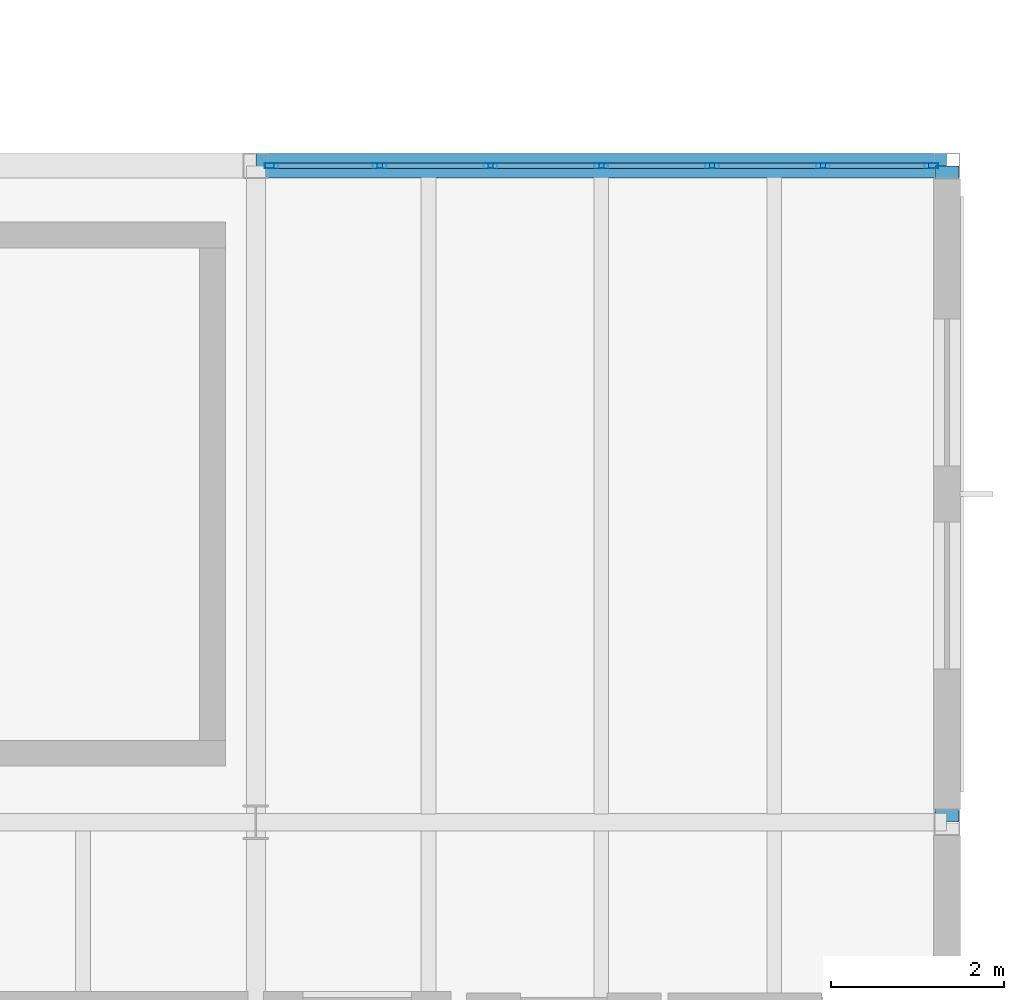
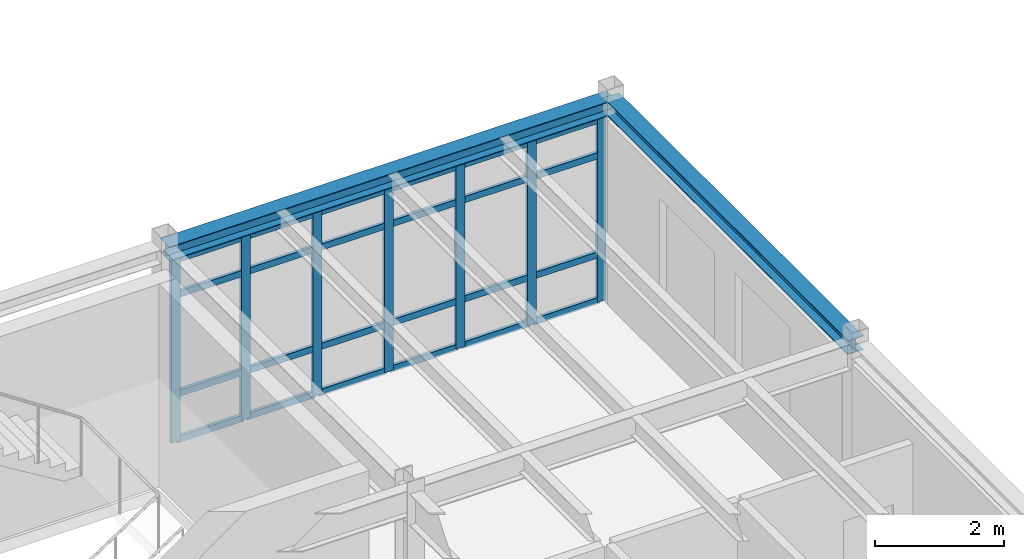
# One storey, part 113 of 165: 31 members, 2 beams, 1 element without a shape of its own.
"""IFC4 building model written with IfcOpenShell, lengths in metres."""

import ifcopenshell
import ifcopenshell.guid

model = None  # the IFC model being written
_history = None  # IfcOwnerHistory: only IFC2X3 demands one
_inside = {}  # id of a spatial element -> (the spatial element, [elements in it])
_under = {}  # id of a project, library or spatial element -> (it, [spatial elements below it])
_declared = {}  # id of a project -> (the project, [libraries it declares])
_typed = {}  # id of a type object -> (the type object, [elements of that type])
_made_of = {}  # id of a material, layer set ... -> (it, [elements and type objects made of it])


def new_model(schema):
    """Start an empty IFC model of exactly this schema.

    Asked for "IFC4X3", IfcOpenShell would pick the latest addendum, in which some entities
    have other attributes; the version numbers below select the first issue.
    IFC2X3 requires an IfcOwnerHistory on every rooted entity: one is made here for all.
    """
    global model, _history
    if schema == "IFC4X3":
        model = ifcopenshell.file(schema_version=(4, 3, 0, 0))
    else:
        model = ifcopenshell.file(schema=schema)
    _inside.clear()
    _under.clear()
    _declared.clear()
    _typed.clear()
    _made_of.clear()
    _history = None
    if model.schema == "IFC2X3":
        org = make("IfcOrganization", Name="unknown")
        user = make(
            "IfcPersonAndOrganization",
            ThePerson=make("IfcPerson", FamilyName="unknown"),
            TheOrganization=org,
        )
        app = make(
            "IfcApplication",
            ApplicationDeveloper=org,
            Version="unknown",
            ApplicationFullName="unknown",
            ApplicationIdentifier="unknown",
        )
        _history = make(
            "IfcOwnerHistory",
            OwningUser=user,
            OwningApplication=app,
            ChangeAction="ADDED",
            CreationDate=0,
        )
    return model


def make(cls, **values):
    """One entity of the class cls with the attributes given. An attribute that is None is left unset."""
    return model.create_entity(
        cls, **{name: value for name, value in values.items() if value is not None}
    )


def rooted(cls, **values):
    """An entity with a GlobalId (a new one), such as an element, a storey or a relation."""
    return make(cls, GlobalId=ifcopenshell.guid.new(), OwnerHistory=_history, **values)


def si_unit(unit_type, name, prefix=None):
    """IfcSIUnit, for example si_unit("LENGTHUNIT", "METRE", prefix="MILLI")."""
    return make("IfcSIUnit", UnitType=unit_type, Prefix=prefix, Name=name)


def assignment(units):
    """IfcUnitAssignment: the units of a project."""
    return None if units is None else make("IfcUnitAssignment", Units=units)


def point(xyz):
    """IfcCartesianPoint."""
    return None if xyz is None else make("IfcCartesianPoint", Coordinates=xyz)


def direction(xyz):
    """IfcDirection."""
    return None if xyz is None else make("IfcDirection", DirectionRatios=xyz)


def frame(location, z_axis=None, x_axis=None):
    """IfcAxis2Placement3D, a coordinate frame: its origin and axes. An axis left out is left unset."""
    return make(
        "IfcAxis2Placement3D",
        Location=point(location),
        Axis=direction(z_axis),
        RefDirection=direction(x_axis),
    )


def frame_2d(location, x_axis=None):
    """IfcAxis2Placement2D, a coordinate frame in the plane: its origin and x axis."""
    return make(
        "IfcAxis2Placement2D", Location=point(location), RefDirection=direction(x_axis)
    )


def origin():
    """The frame at (0, 0, 0) with its axes left unset."""
    return frame((0.0, 0.0, 0.0))


def origin_2d():
    """The frame at (0, 0) in the plane with its x axis left unset."""
    return frame_2d((0.0, 0.0))


def place(relative_to, where):
    """IfcLocalPlacement: puts the frame where relative to a parent placement (None: the world)."""
    return make(
        "IfcLocalPlacement", PlacementRelTo=relative_to, RelativePlacement=where
    )


def context(
    kind, dimensions, precision=None, world=None, true_north=None, identifier=None
):
    """IfcGeometricRepresentationContext, for example the 3D "Model" context."""
    return make(
        "IfcGeometricRepresentationContext",
        ContextIdentifier=identifier,
        ContextType=kind,
        CoordinateSpaceDimension=dimensions,
        Precision=precision,
        WorldCoordinateSystem=world,
        TrueNorth=true_north,
    )


def subcontext(parent, identifier, kind, view, scale=None):
    """IfcGeometricRepresentationSubContext, for example "Body" below "Model"."""
    return make(
        "IfcGeometricRepresentationSubContext",
        ContextIdentifier=identifier,
        ContextType=kind,
        ParentContext=parent,
        TargetScale=scale,
        TargetView=view,
    )


def project(units=None, contexts=None):
    """IfcProject with its units and contexts."""
    return rooted(
        "IfcProject",
        Name="project",
        RepresentationContexts=contexts,
        UnitsInContext=assignment(units),
    )


def spatial(cls, under=None, at=None, **own):
    """A site, building, storey or space (cls), placed at a placement, below another one or the project."""
    s = rooted(cls, ObjectPlacement=at, **own)
    if under is not None:
        _under.setdefault(under.id(), (under, []))[1].append(s)
    return s


def profile(cls, at=None, kind="AREA", **sizes):
    """A parametric profile (cls). Its sizes go by their IFC names, for example OverallWidth=200.0."""
    return make(cls, ProfileType=kind, Position=at, **sizes)


def hollow_rectangle(**sizes):
    """IfcRectangleHollowProfileDef."""
    return profile("IfcRectangleHollowProfileDef", **sizes)


def i_section(**sizes):
    """IfcIShapeProfileDef."""
    return profile("IfcIShapeProfileDef", **sizes)


def extrude(swept, where, along, depth):
    """IfcExtrudedAreaSolid: the profile swept, set in the frame where, extruded along a direction by depth."""
    return make(
        "IfcExtrudedAreaSolid",
        SweptArea=swept,
        Position=where,
        ExtrudedDirection=direction(along),
        Depth=depth,
    )


def shape(context_of_items, identifier, shape_type, items):
    """IfcShapeRepresentation: the items that make up one representation, for example the "Body"."""
    return make(
        "IfcShapeRepresentation",
        ContextOfItems=context_of_items,
        RepresentationIdentifier=identifier,
        RepresentationType=shape_type,
        Items=items,
    )


def material(Name=None, Category=None):
    """IfcMaterial."""
    return make("IfcMaterial", Name=Name, Category=Category)


def layer(
    of_material, thickness, ventilated=None, Name=None, Category=None, Priority=None
):
    """IfcMaterialLayer: one layer of a wall or slab, of a material (None: an air gap)."""
    return make(
        "IfcMaterialLayer",
        Material=of_material,
        LayerThickness=thickness,
        IsVentilated=ventilated,
        Name=Name,
        Category=Category,
        Priority=Priority,
    )


def layer_set(layers, Name=None):
    """IfcMaterialLayerSet."""
    return make("IfcMaterialLayerSet", MaterialLayers=layers, LayerSetName=Name)


def material_profile(
    of_material, cross_section, Name=None, Category=None, Priority=None
):
    """IfcMaterialProfile: a cross section and its material."""
    return make(
        "IfcMaterialProfile",
        Name=Name,
        Material=of_material,
        Profile=cross_section,
        Priority=Priority,
        Category=Category,
    )


def profile_set(profiles, Name=None, composite=None):
    """IfcMaterialProfileSet."""
    return make(
        "IfcMaterialProfileSet",
        Name=Name,
        MaterialProfiles=profiles,
        CompositeProfile=composite,
    )


def made_of(thing, what):
    """Note that an element or type object is made of a material, layer set ...; save() writes the relation."""
    if what is not None:
        _made_of.setdefault(what.id(), (what, []))[1].append(thing)
    return thing


def type_object(cls, material=None, **own):
    """A type object (cls), such as IfcWallType, which elements share."""
    return made_of(rooted(cls, **own), material)


def element(
    cls,
    number,
    at=None,
    inside=None,
    cuts=None,
    type_object=None,
    material=None,
    context=None,
    identifier="Body",
    shape_type=None,
    held_by="IfcProductDefinitionShape",
    body=None,
    shapes=None,
    **own,
):
    """One element of the class cls, such as IfcWall. Its Tag is "e" and its number.

    at: its placement. inside: the storey or other place that contains it. cuts: it is an
    opening in that element (IfcRelVoidsElement). A single representation is given by context,
    identifier, shape_type and body (its items); several are given by shapes. held_by: the class
    of the entity that holds the representations. save() writes the other relations.
    """
    e = rooted(cls, Tag="e%d" % number, ObjectPlacement=at, **own)
    if body is not None:
        shapes = [shape(context, identifier, shape_type, body)]
    if shapes is not None:
        e.Representation = make(held_by, Representations=shapes)
    if inside is not None:
        _inside.setdefault(inside.id(), (inside, []))[1].append(e)
    if cuts is not None:
        rooted(
            "IfcRelVoidsElement", RelatingBuildingElement=cuts, RelatedOpeningElement=e
        )
    if type_object is not None:
        _typed.setdefault(type_object.id(), (type_object, []))[1].append(e)
    return made_of(e, material)


def aggregate(whole, parts):
    """IfcRelAggregates: a whole, such as a stair, and the parts it consists of."""
    return rooted("IfcRelAggregates", RelatingObject=whole, RelatedObjects=parts)


def save(model, path):
    """Write the relations noted so far, then the file.

    IfcRelAggregates (storeys below a building ...), IfcRelContainedInSpatialStructure (elements
    in a storey), IfcRelDefinesByType, IfcRelAssociatesMaterial and IfcRelDeclares: one each for
    every whole, place, type object, material and project.
    """
    for whole, parts in _under.values():
        aggregate(whole, parts)
    for where, things in _inside.values():
        rooted(
            "IfcRelContainedInSpatialStructure",
            RelatedElements=things,
            RelatingStructure=where,
        )
    for kind, things in _typed.values():
        rooted("IfcRelDefinesByType", RelatedObjects=things, RelatingType=kind)
    for what, things in _made_of.values():
        rooted("IfcRelAssociatesMaterial", RelatedObjects=things, RelatingMaterial=what)
    for by, libraries in _declared.values():
        rooted("IfcRelDeclares", RelatingContext=by, RelatedDefinitions=libraries)
    model.write(path)


model = new_model("IFC4")

# Units and contexts
model_context = context("Model", 3, precision=1e-05, world=origin(), true_north=direction((0.0, 1.0)))
body_context = subcontext(model_context, "Body", "Model", "MODEL_VIEW")
ifc_project = project(units=[si_unit("LENGTHUNIT", "METRE"), si_unit("AREAUNIT", "SQUARE_METRE"), si_unit("VOLUMEUNIT", "CUBIC_METRE"), si_unit("PLANEANGLEUNIT", "RADIAN"), si_unit("MASSUNIT", "GRAM", prefix="KILO")], contexts=[model_context])

# Site, building, storey
site_placement = place(None, origin())
site = spatial("IfcSite", under=ifc_project, at=site_placement, CompositionType="ELEMENT")
building_placement = place(site_placement, origin())
building = spatial("IfcBuilding", under=site, at=building_placement, Name="Montecoro Central Library", CompositionType="ELEMENT")
storey_placement = place(building_placement, frame((0.0, 0.0, 5.10009765625)))
storey = spatial("IfcBuildingStorey", under=building, at=storey_placement, Name="L01", CompositionType="ELEMENT", Elevation=5.10009765625)

# Beams
ifc_material_1 = material(Name="Steel S355", Category="steel")
ifc_material_profile_1 = material_profile(ifc_material_1, i_section(OverallWidth=0.280029296875, OverallDepth=0.27001953125, WebThickness=0.008056640625, FlangeThickness=0.012939453125, at=origin_2d()), Name="HEA 280")
ifc_profile_set_1 = profile_set([ifc_material_profile_1], Name="Steel S355")
beam_type = type_object("IfcBeamType", Name="BM-SP-HEA280", PredefinedType="SPANDREL", material=ifc_profile_set_1)
beam_1_placement = place(storey_placement, frame((165.0048828125, 43.0, 3.68994140625), z_axis=(1.0, 0.0, 0.0), x_axis=(0.0, 1.0, 0.0)))
element("IfcBeam", 1, at=beam_1_placement, inside=storey, type_object=beam_type, Name="V6-L01-BX-2122-F", PredefinedType="SPANDREL", context=body_context, shape_type="SweptSolid", body=[
    extrude(i_section(OverallWidth=0.280029296875, OverallDepth=0.27001953125, WebThickness=0.008056640625, FlangeThickness=0.012939453125, at=origin_2d()), origin(), (0.0, 0.0, 1.0), 7.990234375),
])
beam_2_placement = place(storey_placement, frame((173.0, 35.405029296875, 3.68994140625), z_axis=(0.0, 1.0, 0.0), x_axis=(-1.0, 0.0, 0.0)))
element("IfcBeam", 2, at=beam_2_placement, inside=storey, type_object=beam_type, Name="V6-L01-BY-22-EF", PredefinedType="SPANDREL", context=body_context, shape_type="SweptSolid", body=[
    extrude(i_section(OverallWidth=0.280029296875, OverallDepth=0.27001953125, WebThickness=0.008056640625, FlangeThickness=0.012939453125, at=origin_2d()), origin(), (0.0, 0.0, 1.0), 7.590087890625),
])

# Curtain wall, members
ifc_material_2 = material(Name="Bronze-anodised aluminium and low-E glazing", Category="aluminium")
ifc_layer = layer(ifc_material_2, 0.159912109375)
ifc_layer_set = layer_set([ifc_layer], Name="Bronze-anodised aluminium and low-E glazing")
curtain_wall_type = type_object("IfcCurtainWallType", Name="CWT-062", PredefinedType="NOTDEFINED", material=ifc_layer_set)
curtain_wall_placement = place(storey_placement, origin())
curtain_wall = element("IfcCurtainWall", 3, at=curtain_wall_placement, inside=storey, type_object=curtain_wall_type, Name="V6-L01-CW-N3", PredefinedType="NOTDEFINED")
ifc_material_3 = material(Name="Bronze-anodised aluminium", Category="aluminium")
ifc_material_profile_2 = material_profile(ifc_material_3, hollow_rectangle(XDim=0.06005859375, YDim=0.159912109375, WallThickness=0.00390625, at=origin_2d()), Name="CWM 160x60x4.0")
ifc_profile_set_2 = profile_set([ifc_material_profile_2], Name="Bronze-anodised aluminium")
member_type_1 = type_object("IfcMemberType", Name="CWM-BRZ-60", PredefinedType="MULLION", material=ifc_profile_set_2)
member_1_placement = place(storey_placement, frame((172.81689453125, 43.0, 0.0), z_axis=(0.0, 0.0, 1.0), x_axis=(0.0, -1.0, 0.0)))
member_1 = element("IfcMember", 4, at=member_1_placement, type_object=member_type_1, Name="CW-062 mullion 1", PredefinedType="MULLION", context=body_context, shape_type="SweptSolid", body=[
    extrude(hollow_rectangle(XDim=0.06005859375, YDim=0.159912109375, WallThickness=0.00390625, at=origin_2d()), origin(), (0.0, 0.0, 1.0), 3.47998046875),
])
member_2_placement = place(storey_placement, frame((171.564697265625, 43.0, 0.0), z_axis=(0.0, 0.0, 1.0), x_axis=(0.0, -1.0, 0.0)))
member_2 = element("IfcMember", 5, at=member_2_placement, type_object=member_type_1, Name="CW-062 mullion 2", PredefinedType="MULLION", context=body_context, shape_type="SweptSolid", body=[
    extrude(hollow_rectangle(XDim=0.06005859375, YDim=0.159912109375, WallThickness=0.00390625, at=origin_2d()), origin(), (0.0, 0.0, 1.0), 3.47998046875),
])
member_3_placement = place(storey_placement, frame((170.2822265625, 43.0, 0.0), z_axis=(0.0, 0.0, 1.0), x_axis=(0.0, -1.0, 0.0)))
member_3 = element("IfcMember", 6, at=member_3_placement, type_object=member_type_1, Name="CW-062 mullion 3", PredefinedType="MULLION", context=body_context, shape_type="SweptSolid", body=[
    extrude(hollow_rectangle(XDim=0.06005859375, YDim=0.159912109375, WallThickness=0.00390625, at=origin_2d()), origin(), (0.0, 0.0, 1.0), 3.47998046875),
])
member_4_placement = place(storey_placement, frame((169.0, 43.0, 0.0), z_axis=(0.0, 0.0, 1.0), x_axis=(0.0, -1.0, 0.0)))
member_4 = element("IfcMember", 7, at=member_4_placement, type_object=member_type_1, Name="CW-062 mullion 4", PredefinedType="MULLION", context=body_context, shape_type="SweptSolid", body=[
    extrude(hollow_rectangle(XDim=0.06005859375, YDim=0.159912109375, WallThickness=0.00390625, at=origin_2d()), origin(), (0.0, 0.0, 1.0), 3.47998046875),
])
member_5_placement = place(storey_placement, frame((167.7177734375, 43.0, 0.0), z_axis=(0.0, 0.0, 1.0), x_axis=(0.0, -1.0, 0.0)))
member_5 = element("IfcMember", 8, at=member_5_placement, type_object=member_type_1, Name="CW-062 mullion 5", PredefinedType="MULLION", context=body_context, shape_type="SweptSolid", body=[
    extrude(hollow_rectangle(XDim=0.06005859375, YDim=0.159912109375, WallThickness=0.00390625, at=origin_2d()), origin(), (0.0, 0.0, 1.0), 3.47998046875),
])
member_6_placement = place(storey_placement, frame((166.435302734375, 43.0, 0.0), z_axis=(0.0, 0.0, 1.0), x_axis=(0.0, -1.0, 0.0)))
member_6 = element("IfcMember", 9, at=member_6_placement, type_object=member_type_1, Name="CW-062 mullion 6", PredefinedType="MULLION", context=body_context, shape_type="SweptSolid", body=[
    extrude(hollow_rectangle(XDim=0.06005859375, YDim=0.159912109375, WallThickness=0.00390625, at=origin_2d()), origin(), (0.0, 0.0, 1.0), 3.47998046875),
])
member_7_placement = place(storey_placement, frame((165.18310546875, 43.0, 0.0), z_axis=(0.0, 0.0, 1.0), x_axis=(0.0, -1.0, 0.0)))
member_7 = element("IfcMember", 10, at=member_7_placement, type_object=member_type_1, Name="CW-062 mullion 7", PredefinedType="MULLION", context=body_context, shape_type="SweptSolid", body=[
    extrude(hollow_rectangle(XDim=0.06005859375, YDim=0.159912109375, WallThickness=0.00390625, at=origin_2d()), origin(), (0.0, 0.0, 1.0), 3.47998046875),
])
ifc_material_profile_3 = material_profile(ifc_material_3, hollow_rectangle(XDim=0.06005859375, YDim=0.1201171875, WallThickness=0.00390625, at=origin_2d()), Name="CWT 120x60x4.0")
ifc_profile_set_3 = profile_set([ifc_material_profile_3], Name="Bronze-anodised aluminium")
member_type_2 = type_object("IfcMemberType", Name="CWT-BRZ-60", PredefinedType="USERDEFINED", material=ifc_profile_set_3)
member_8_placement = place(storey_placement, frame((172.787109375, 43.0, 0.02978515625), z_axis=(-1.0, 0.0, 0.0), x_axis=(0.0, -1.0, 0.0)))
member_8 = element("IfcMember", 11, at=member_8_placement, type_object=member_type_2, Name="CW-062 transom 1.1", ObjectType="TRANSOM", PredefinedType="USERDEFINED", context=body_context, shape_type="SweptSolid", body=[
    extrude(hollow_rectangle(XDim=0.06005859375, YDim=0.1201171875, WallThickness=0.00390625, at=origin_2d()), origin(), (0.0, 0.0, 1.0), 1.1923828125),
])
member_9_placement = place(storey_placement, frame((172.787109375, 43.0, 0.89990234375), z_axis=(-1.0, 0.0, 0.0), x_axis=(0.0, -1.0, 0.0)))
member_9 = element("IfcMember", 12, at=member_9_placement, type_object=member_type_2, Name="CW-062 transom 1.2", ObjectType="TRANSOM", PredefinedType="USERDEFINED", context=body_context, shape_type="SweptSolid", body=[
    extrude(hollow_rectangle(XDim=0.06005859375, YDim=0.1201171875, WallThickness=0.00390625, at=origin_2d()), origin(), (0.0, 0.0, 1.0), 1.1923828125),
])
member_10_placement = place(storey_placement, frame((172.787109375, 43.0, 2.77978515625), z_axis=(-1.0, 0.0, 0.0), x_axis=(0.0, -1.0, 0.0)))
member_10 = element("IfcMember", 13, at=member_10_placement, type_object=member_type_2, Name="CW-062 transom 1.3", ObjectType="TRANSOM", PredefinedType="USERDEFINED", context=body_context, shape_type="SweptSolid", body=[
    extrude(hollow_rectangle(XDim=0.06005859375, YDim=0.1201171875, WallThickness=0.00390625, at=origin_2d()), origin(), (0.0, 0.0, 1.0), 1.1923828125),
])
member_11_placement = place(storey_placement, frame((172.787109375, 43.0, 3.449951171875), z_axis=(-1.0, 0.0, 0.0), x_axis=(0.0, -1.0, 0.0)))
member_11 = element("IfcMember", 14, at=member_11_placement, type_object=member_type_2, Name="CW-062 transom 1.4", ObjectType="TRANSOM", PredefinedType="USERDEFINED", context=body_context, shape_type="SweptSolid", body=[
    extrude(hollow_rectangle(XDim=0.06005859375, YDim=0.1201171875, WallThickness=0.00390625, at=origin_2d()), origin(), (0.0, 0.0, 1.0), 1.1923828125),
])
member_12_placement = place(storey_placement, frame((171.53466796875, 43.0, 0.02978515625), z_axis=(-1.0, 0.0, 0.0), x_axis=(0.0, -1.0, 0.0)))
member_12 = element("IfcMember", 15, at=member_12_placement, type_object=member_type_2, Name="CW-062 transom 2.1", ObjectType="TRANSOM", PredefinedType="USERDEFINED", context=body_context, shape_type="SweptSolid", body=[
    extrude(hollow_rectangle(XDim=0.06005859375, YDim=0.1201171875, WallThickness=0.00390625, at=origin_2d()), origin(), (0.0, 0.0, 1.0), 1.222412109375),
])
member_13_placement = place(storey_placement, frame((171.53466796875, 43.0, 0.89990234375), z_axis=(-1.0, 0.0, 0.0), x_axis=(0.0, -1.0, 0.0)))
member_13 = element("IfcMember", 16, at=member_13_placement, type_object=member_type_2, Name="CW-062 transom 2.2", ObjectType="TRANSOM", PredefinedType="USERDEFINED", context=body_context, shape_type="SweptSolid", body=[
    extrude(hollow_rectangle(XDim=0.06005859375, YDim=0.1201171875, WallThickness=0.00390625, at=origin_2d()), origin(), (0.0, 0.0, 1.0), 1.222412109375),
])
member_14_placement = place(storey_placement, frame((171.53466796875, 43.0, 2.77978515625), z_axis=(-1.0, 0.0, 0.0), x_axis=(0.0, -1.0, 0.0)))
member_14 = element("IfcMember", 17, at=member_14_placement, type_object=member_type_2, Name="CW-062 transom 2.3", ObjectType="TRANSOM", PredefinedType="USERDEFINED", context=body_context, shape_type="SweptSolid", body=[
    extrude(hollow_rectangle(XDim=0.06005859375, YDim=0.1201171875, WallThickness=0.00390625, at=origin_2d()), origin(), (0.0, 0.0, 1.0), 1.222412109375),
])
member_15_placement = place(storey_placement, frame((171.53466796875, 43.0, 3.449951171875), z_axis=(-1.0, 0.0, 0.0), x_axis=(0.0, -1.0, 0.0)))
member_15 = element("IfcMember", 18, at=member_15_placement, type_object=member_type_2, Name="CW-062 transom 2.4", ObjectType="TRANSOM", PredefinedType="USERDEFINED", context=body_context, shape_type="SweptSolid", body=[
    extrude(hollow_rectangle(XDim=0.06005859375, YDim=0.1201171875, WallThickness=0.00390625, at=origin_2d()), origin(), (0.0, 0.0, 1.0), 1.222412109375),
])
member_16_placement = place(storey_placement, frame((170.25244140625, 43.0, 0.02978515625), z_axis=(-1.0, 0.0, 0.0), x_axis=(0.0, -1.0, 0.0)))
member_16 = element("IfcMember", 19, at=member_16_placement, type_object=member_type_2, Name="CW-062 transom 3.1", ObjectType="TRANSOM", PredefinedType="USERDEFINED", context=body_context, shape_type="SweptSolid", body=[
    extrude(hollow_rectangle(XDim=0.06005859375, YDim=0.1201171875, WallThickness=0.00390625, at=origin_2d()), origin(), (0.0, 0.0, 1.0), 1.222412109375),
])
member_17_placement = place(storey_placement, frame((170.25244140625, 43.0, 0.89990234375), z_axis=(-1.0, 0.0, 0.0), x_axis=(0.0, -1.0, 0.0)))
member_17 = element("IfcMember", 20, at=member_17_placement, type_object=member_type_2, Name="CW-062 transom 3.2", ObjectType="TRANSOM", PredefinedType="USERDEFINED", context=body_context, shape_type="SweptSolid", body=[
    extrude(hollow_rectangle(XDim=0.06005859375, YDim=0.1201171875, WallThickness=0.00390625, at=origin_2d()), origin(), (0.0, 0.0, 1.0), 1.222412109375),
])
member_18_placement = place(storey_placement, frame((170.25244140625, 43.0, 2.77978515625), z_axis=(-1.0, 0.0, 0.0), x_axis=(0.0, -1.0, 0.0)))
member_18 = element("IfcMember", 21, at=member_18_placement, type_object=member_type_2, Name="CW-062 transom 3.3", ObjectType="TRANSOM", PredefinedType="USERDEFINED", context=body_context, shape_type="SweptSolid", body=[
    extrude(hollow_rectangle(XDim=0.06005859375, YDim=0.1201171875, WallThickness=0.00390625, at=origin_2d()), origin(), (0.0, 0.0, 1.0), 1.222412109375),
])
member_19_placement = place(storey_placement, frame((170.25244140625, 43.0, 3.449951171875), z_axis=(-1.0, 0.0, 0.0), x_axis=(0.0, -1.0, 0.0)))
member_19 = element("IfcMember", 22, at=member_19_placement, type_object=member_type_2, Name="CW-062 transom 3.4", ObjectType="TRANSOM", PredefinedType="USERDEFINED", context=body_context, shape_type="SweptSolid", body=[
    extrude(hollow_rectangle(XDim=0.06005859375, YDim=0.1201171875, WallThickness=0.00390625, at=origin_2d()), origin(), (0.0, 0.0, 1.0), 1.222412109375),
])
member_20_placement = place(storey_placement, frame((168.969970703125, 43.0, 0.02978515625), z_axis=(-1.0, 0.0, 0.0), x_axis=(0.0, -1.0, 0.0)))
member_20 = element("IfcMember", 23, at=member_20_placement, type_object=member_type_2, Name="CW-062 transom 4.1", ObjectType="TRANSOM", PredefinedType="USERDEFINED", context=body_context, shape_type="SweptSolid", body=[
    extrude(hollow_rectangle(XDim=0.06005859375, YDim=0.1201171875, WallThickness=0.00390625, at=origin_2d()), origin(), (0.0, 0.0, 1.0), 1.222412109375),
])
member_21_placement = place(storey_placement, frame((168.969970703125, 43.0, 0.89990234375), z_axis=(-1.0, 0.0, 0.0), x_axis=(0.0, -1.0, 0.0)))
member_21 = element("IfcMember", 24, at=member_21_placement, type_object=member_type_2, Name="CW-062 transom 4.2", ObjectType="TRANSOM", PredefinedType="USERDEFINED", context=body_context, shape_type="SweptSolid", body=[
    extrude(hollow_rectangle(XDim=0.06005859375, YDim=0.1201171875, WallThickness=0.00390625, at=origin_2d()), origin(), (0.0, 0.0, 1.0), 1.222412109375),
])
member_22_placement = place(storey_placement, frame((168.969970703125, 43.0, 2.77978515625), z_axis=(-1.0, 0.0, 0.0), x_axis=(0.0, -1.0, 0.0)))
member_22 = element("IfcMember", 25, at=member_22_placement, type_object=member_type_2, Name="CW-062 transom 4.3", ObjectType="TRANSOM", PredefinedType="USERDEFINED", context=body_context, shape_type="SweptSolid", body=[
    extrude(hollow_rectangle(XDim=0.06005859375, YDim=0.1201171875, WallThickness=0.00390625, at=origin_2d()), origin(), (0.0, 0.0, 1.0), 1.222412109375),
])
member_23_placement = place(storey_placement, frame((168.969970703125, 43.0, 3.449951171875), z_axis=(-1.0, 0.0, 0.0), x_axis=(0.0, -1.0, 0.0)))
member_23 = element("IfcMember", 26, at=member_23_placement, type_object=member_type_2, Name="CW-062 transom 4.4", ObjectType="TRANSOM", PredefinedType="USERDEFINED", context=body_context, shape_type="SweptSolid", body=[
    extrude(hollow_rectangle(XDim=0.06005859375, YDim=0.1201171875, WallThickness=0.00390625, at=origin_2d()), origin(), (0.0, 0.0, 1.0), 1.222412109375),
])
member_24_placement = place(storey_placement, frame((167.687744140625, 43.0, 0.02978515625), z_axis=(-1.0, 0.0, 0.0), x_axis=(0.0, -1.0, 0.0)))
member_24 = element("IfcMember", 27, at=member_24_placement, type_object=member_type_2, Name="CW-062 transom 5.1", ObjectType="TRANSOM", PredefinedType="USERDEFINED", context=body_context, shape_type="SweptSolid", body=[
    extrude(hollow_rectangle(XDim=0.06005859375, YDim=0.1201171875, WallThickness=0.00390625, at=origin_2d()), origin(), (0.0, 0.0, 1.0), 1.222412109375),
])
member_25_placement = place(storey_placement, frame((167.687744140625, 43.0, 0.89990234375), z_axis=(-1.0, 0.0, 0.0), x_axis=(0.0, -1.0, 0.0)))
member_25 = element("IfcMember", 28, at=member_25_placement, type_object=member_type_2, Name="CW-062 transom 5.2", ObjectType="TRANSOM", PredefinedType="USERDEFINED", context=body_context, shape_type="SweptSolid", body=[
    extrude(hollow_rectangle(XDim=0.06005859375, YDim=0.1201171875, WallThickness=0.00390625, at=origin_2d()), origin(), (0.0, 0.0, 1.0), 1.222412109375),
])
member_26_placement = place(storey_placement, frame((167.687744140625, 43.0, 2.77978515625), z_axis=(-1.0, 0.0, 0.0), x_axis=(0.0, -1.0, 0.0)))
member_26 = element("IfcMember", 29, at=member_26_placement, type_object=member_type_2, Name="CW-062 transom 5.3", ObjectType="TRANSOM", PredefinedType="USERDEFINED", context=body_context, shape_type="SweptSolid", body=[
    extrude(hollow_rectangle(XDim=0.06005859375, YDim=0.1201171875, WallThickness=0.00390625, at=origin_2d()), origin(), (0.0, 0.0, 1.0), 1.222412109375),
])
member_27_placement = place(storey_placement, frame((167.687744140625, 43.0, 3.449951171875), z_axis=(-1.0, 0.0, 0.0), x_axis=(0.0, -1.0, 0.0)))
member_27 = element("IfcMember", 30, at=member_27_placement, type_object=member_type_2, Name="CW-062 transom 5.4", ObjectType="TRANSOM", PredefinedType="USERDEFINED", context=body_context, shape_type="SweptSolid", body=[
    extrude(hollow_rectangle(XDim=0.06005859375, YDim=0.1201171875, WallThickness=0.00390625, at=origin_2d()), origin(), (0.0, 0.0, 1.0), 1.222412109375),
])
member_28_placement = place(storey_placement, frame((166.4052734375, 43.0, 0.02978515625), z_axis=(-1.0, 0.0, 0.0), x_axis=(0.0, -1.0, 0.0)))
member_28 = element("IfcMember", 31, at=member_28_placement, type_object=member_type_2, Name="CW-062 transom 6.1", ObjectType="TRANSOM", PredefinedType="USERDEFINED", context=body_context, shape_type="SweptSolid", body=[
    extrude(hollow_rectangle(XDim=0.06005859375, YDim=0.1201171875, WallThickness=0.00390625, at=origin_2d()), origin(), (0.0, 0.0, 1.0), 1.1923828125),
])
member_29_placement = place(storey_placement, frame((166.4052734375, 43.0, 0.89990234375), z_axis=(-1.0, 0.0, 0.0), x_axis=(0.0, -1.0, 0.0)))
member_29 = element("IfcMember", 32, at=member_29_placement, type_object=member_type_2, Name="CW-062 transom 6.2", ObjectType="TRANSOM", PredefinedType="USERDEFINED", context=body_context, shape_type="SweptSolid", body=[
    extrude(hollow_rectangle(XDim=0.06005859375, YDim=0.1201171875, WallThickness=0.00390625, at=origin_2d()), origin(), (0.0, 0.0, 1.0), 1.1923828125),
])
member_30_placement = place(storey_placement, frame((166.4052734375, 43.0, 2.77978515625), z_axis=(-1.0, 0.0, 0.0), x_axis=(0.0, -1.0, 0.0)))
member_30 = element("IfcMember", 33, at=member_30_placement, type_object=member_type_2, Name="CW-062 transom 6.3", ObjectType="TRANSOM", PredefinedType="USERDEFINED", context=body_context, shape_type="SweptSolid", body=[
    extrude(hollow_rectangle(XDim=0.06005859375, YDim=0.1201171875, WallThickness=0.00390625, at=origin_2d()), origin(), (0.0, 0.0, 1.0), 1.1923828125),
])
member_31_placement = place(storey_placement, frame((166.4052734375, 43.0, 3.449951171875), z_axis=(-1.0, 0.0, 0.0), x_axis=(0.0, -1.0, 0.0)))
member_31 = element("IfcMember", 34, at=member_31_placement, type_object=member_type_2, Name="CW-062 transom 6.4", ObjectType="TRANSOM", PredefinedType="USERDEFINED", context=body_context, shape_type="SweptSolid", body=[
    extrude(hollow_rectangle(XDim=0.06005859375, YDim=0.1201171875, WallThickness=0.00390625, at=origin_2d()), origin(), (0.0, 0.0, 1.0), 1.1923828125),
])
aggregate(curtain_wall, [member_1, member_2, member_3, member_4, member_5, member_6, member_7, member_8, member_9, member_10, member_11, member_12, member_13, member_14, member_15, member_16, member_17, member_18, member_19, member_20, member_21, member_22, member_23, member_24, member_25, member_26, member_27, member_28, member_29, member_30, member_31])

save(model, "model.ifc")
